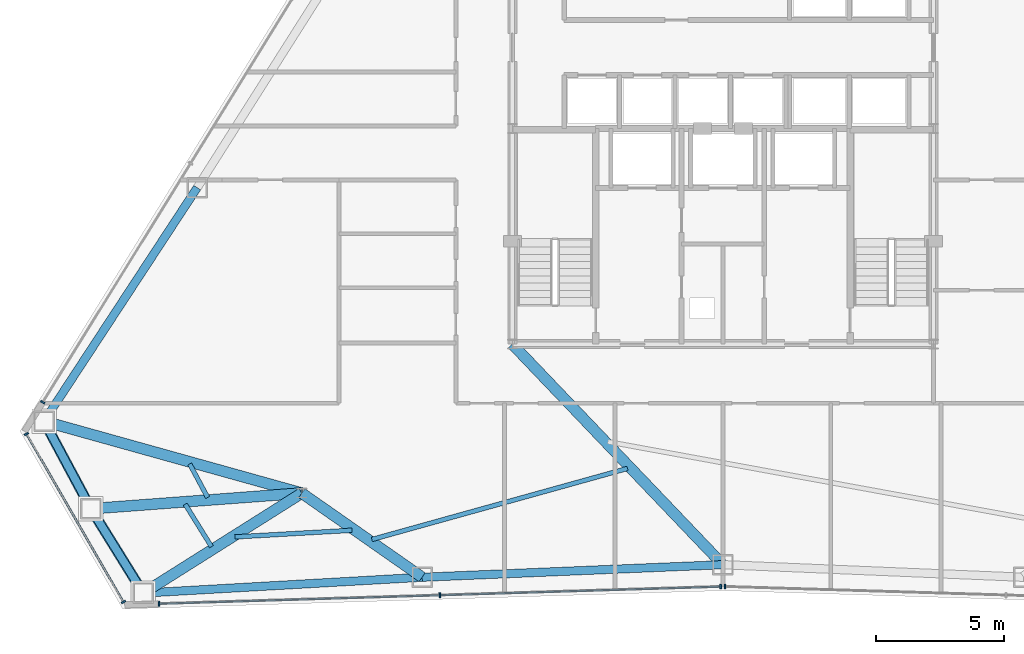
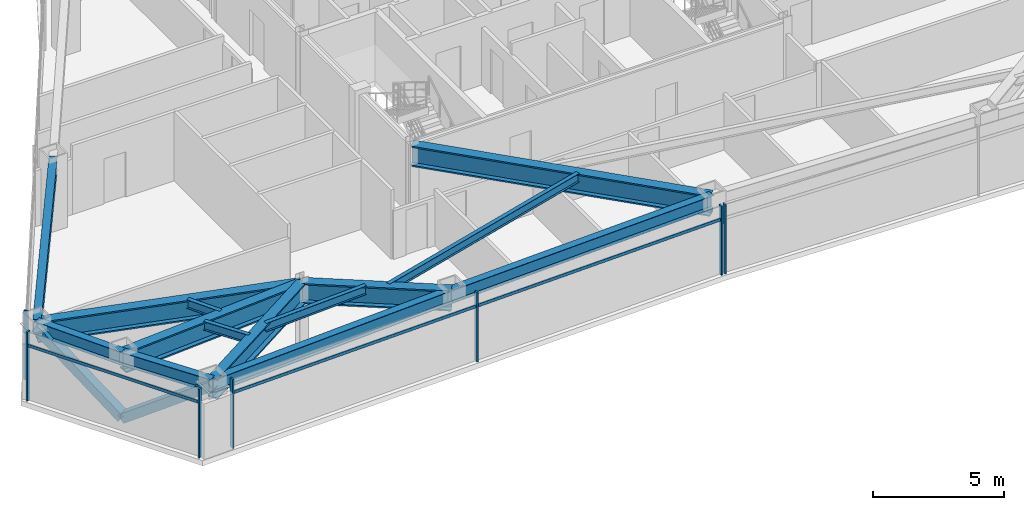
# One storey, part 3 of 13: 14 beams, 11 members, 4 elements without a shape of their own.
"""IFC4 building model written with IfcOpenShell, lengths in metres."""

from ifc_helpers import new_model, si_unit, direction, frame, origin, origin_2d, place, context, subcontext, project, spatial, rectangle, hollow_rectangle, i_section, extrude, source, transform, mapped, material, layer, layer_set, material_profile, profile_set, type_object, type_shapes, element, aggregate, save


model = new_model("IFC4")

# Units and contexts
model_context = context("Model", 3, precision=1e-05, world=origin(), true_north=direction((0.0, 1.0)))
body_context = subcontext(model_context, "Body", "Model", "MODEL_VIEW")
ifc_project = project(units=[si_unit("LENGTHUNIT", "METRE"), si_unit("AREAUNIT", "SQUARE_METRE"), si_unit("VOLUMEUNIT", "CUBIC_METRE"), si_unit("PLANEANGLEUNIT", "RADIAN"), si_unit("MASSUNIT", "GRAM", prefix="KILO")], contexts=[model_context])

# Site, building, storey
site_placement = place(None, origin())
site = spatial("IfcSite", under=ifc_project, at=site_placement, CompositionType="ELEMENT")
building_placement = place(site_placement, origin())
building = spatial("IfcBuilding", under=site, at=building_placement, Name="Varakhsha Concourse Tower", CompositionType="ELEMENT")
storey_placement = place(building_placement, frame((0.0, 0.0, 165.449951171875)))
storey = spatial("IfcBuildingStorey", under=building, at=storey_placement, Name="L47", CompositionType="ELEMENT", Elevation=165.449951171875)

# Beams
ifc_material_1 = material(Name="Structural Steel ASTM A992 Grade 50", Category="steel")
ifc_material_profile_1 = material_profile(ifc_material_1, i_section(OverallWidth=0.177978515625, OverallDepth=0.406982421875, WebThickness=0.008056640625, FlangeThickness=0.012939453125, at=origin_2d()), Name="W16X40")
ifc_profile_set_1 = profile_set([ifc_material_profile_1], Name="Structural Steel ASTM A992 Grade 50")
beam_type_1 = type_object("IfcBeamType", Name="BM-JST-W16X40", PredefinedType="JOIST", material=ifc_profile_set_1)
beam_1_placement = place(storey_placement, frame((19.23583984375, 11.73388671875, 3.006591796875), z_axis=(0.472427315469, -0.881369633921, 0.0), x_axis=(0.881369633921, 0.472427315469, 0.0)))
element("IfcBeam", 1, at=beam_1_placement, inside=storey, type_object=beam_type_1, Name="BM-TJST-L47-07", PredefinedType="JOIST", context=body_context, shape_type="SweptSolid", body=[
    extrude(i_section(OverallWidth=0.177978515625, OverallDepth=0.406982421875, WebThickness=0.008056640625, FlangeThickness=0.012939453125, at=origin_2d()), origin(), (0.0, 0.0, 1.0), 1.48046875),
])
beam_2_placement = place(storey_placement, frame((19.059814453125, 10.165283203125, 3.006591796875), z_axis=(0.527253458324, -0.849708062034, 0.0), x_axis=(0.849708062034, 0.527253458324, 0.0)))
element("IfcBeam", 2, at=beam_2_placement, inside=storey, type_object=beam_type_1, Name="BM-TJST-L47-08", PredefinedType="JOIST", context=body_context, shape_type="SweptSolid", body=[
    extrude(i_section(OverallWidth=0.177978515625, OverallDepth=0.406982421875, WebThickness=0.008056640625, FlangeThickness=0.012939453125, at=origin_2d()), origin(), (0.0, 0.0, 1.0), 1.9443359375),
])
beam_3_placement = place(storey_placement, frame((20.99365234375, 8.89306640625, 3.006591796875), z_axis=(0.998392496676, 0.056678237279, 0.0), x_axis=(-0.056678237279, 0.998392496676, 0.0)))
element("IfcBeam", 3, at=beam_3_placement, inside=storey, type_object=beam_type_1, Name="BM-TJST-L47-09", PredefinedType="JOIST", context=body_context, shape_type="SweptSolid", body=[
    extrude(i_section(OverallWidth=0.177978515625, OverallDepth=0.406982421875, WebThickness=0.008056640625, FlangeThickness=0.012939453125, at=origin_2d()), origin(), (0.0, 0.0, 1.0), 4.56591796875),
])
beam_4_placement = place(storey_placement, frame((26.330322265625, 8.794189453125, 3.006591796875), z_axis=(0.96347660105, 0.267792530195, 0.0), x_axis=(-0.267792530195, 0.96347660105, 0.0)))
element("IfcBeam", 4, at=beam_4_placement, inside=storey, type_object=beam_type_1, Name="BM-TJST-L47-10", PredefinedType="JOIST", context=body_context, shape_type="SweptSolid", body=[
    extrude(i_section(OverallWidth=0.177978515625, OverallDepth=0.406982421875, WebThickness=0.008056640625, FlangeThickness=0.012939453125, at=origin_2d()), origin(), (0.0, 0.0, 1.0), 10.3330078125),
])
ifc_material_profile_2 = material_profile(ifc_material_1, i_section(OverallWidth=0.423095703125, OverallDepth=0.947998046875, WebThickness=0.0380859375, FlangeThickness=0.06396484375, at=origin_2d()), Name="W36X302")
ifc_profile_set_2 = profile_set([ifc_material_profile_2], Name="Structural Steel ASTM A992 Grade 50")
beam_type_2 = type_object("IfcBeamType", Name="BM-OUTR-W36X302", PredefinedType="USERDEFINED", material=ifc_profile_set_2)
beam_5_placement = place(storey_placement, frame((23.60009765625, 10.60009765625, 2.736083984375), z_axis=(-0.963276818964, 0.268510279221, 0.0), x_axis=(-0.268510279221, -0.963276818964, 0.0)))
element("IfcBeam", 5, at=beam_5_placement, inside=storey, type_object=beam_type_2, Name="L47 Radial Floor Girder 07", ObjectType="GIRDER", PredefinedType="USERDEFINED", context=body_context, shape_type="SweptSolid", body=[
    extrude(i_section(OverallWidth=0.423095703125, OverallDepth=0.947998046875, WebThickness=0.0380859375, FlangeThickness=0.06396484375, at=origin_2d()), origin(), (0.0, 0.0, 1.0), 10.4189453125),
])
beam_6_placement = place(storey_placement, frame((23.60009765625, 10.60009765625, 2.736083984375), z_axis=(-0.99725755111, -0.074009301804, 0.0), x_axis=(0.074009301804, -0.99725755111, 0.0)))
element("IfcBeam", 6, at=beam_6_placement, inside=storey, type_object=beam_type_2, Name="L47 Radial Floor Girder 08", ObjectType="GIRDER", PredefinedType="USERDEFINED", context=body_context, shape_type="SweptSolid", body=[
    extrude(i_section(OverallWidth=0.423095703125, OverallDepth=0.947998046875, WebThickness=0.0380859375, FlangeThickness=0.06396484375, at=origin_2d()), origin(), (0.0, 0.0, 1.0), 8.233642578125),
])
beam_7_placement = place(storey_placement, frame((23.60009765625, 10.60009765625, 2.736083984375), z_axis=(-0.845822577747, -0.533464307123, 0.0), x_axis=(0.533464307123, -0.845822577747, 0.0)))
element("IfcBeam", 7, at=beam_7_placement, inside=storey, type_object=beam_type_2, Name="L47 Radial Floor Girder 09", ObjectType="GIRDER", PredefinedType="USERDEFINED", context=body_context, shape_type="SweptSolid", body=[
    extrude(i_section(OverallWidth=0.423095703125, OverallDepth=0.947998046875, WebThickness=0.0380859375, FlangeThickness=0.06396484375, at=origin_2d()), origin(), (0.0, 0.0, 1.0), 7.298583984375),
])
beam_8_placement = place(storey_placement, frame((23.60009765625, 10.60009765625, 2.736083984375), z_axis=(0.81951662418, -0.573055409792, 0.0), x_axis=(0.573055409792, 0.81951662418, 0.0)))
element("IfcBeam", 8, at=beam_8_placement, inside=storey, type_object=beam_type_2, Name="L47 Radial Floor Girder 10", ObjectType="GIRDER", PredefinedType="USERDEFINED", context=body_context, shape_type="SweptSolid", body=[
    extrude(i_section(OverallWidth=0.423095703125, OverallDepth=0.947998046875, WebThickness=0.0380859375, FlangeThickness=0.06396484375, at=origin_2d()), origin(), (0.0, 0.0, 1.0), 5.71875),
])
beam_9_placement = place(storey_placement, frame((31.800048828125, 16.39990234375, 2.736083984375), z_axis=(0.690592614806, -0.723243970161, 0.0), x_axis=(0.723243970161, 0.690592614806, 0.0)))
element("IfcBeam", 9, at=beam_9_placement, inside=storey, type_object=beam_type_2, Name="L47 Radial Floor Girder 11", ObjectType="GIRDER", PredefinedType="USERDEFINED", context=body_context, shape_type="SweptSolid", body=[
    extrude(i_section(OverallWidth=0.423095703125, OverallDepth=0.947998046875, WebThickness=0.0380859375, FlangeThickness=0.06396484375, at=origin_2d()), origin(), (0.0, 0.0, 1.0), 11.873779296875),
])
ifc_material_profile_3 = material_profile(ifc_material_1, i_section(OverallWidth=0.323974609375, OverallDepth=0.611083984375, WebThickness=0.012939453125, FlangeThickness=0.01904296875, at=origin_2d()), Name="W24X104")
ifc_profile_set_3 = profile_set([ifc_material_profile_3], Name="Structural Steel ASTM A992 Grade 50")
beam_type_3 = type_object("IfcBeamType", Name="BM-SPAN-W24X104", PredefinedType="SPANDREL", material=ifc_profile_set_3)
beam_10_placement = place(storey_placement, frame((19.52734375, 22.494384765625, 2.904541015625), z_axis=(-0.548266128306, -0.836303923555, 0.0), x_axis=(0.836303923555, -0.548266128306, 0.0)))
element("IfcBeam", 10, at=beam_10_placement, inside=storey, type_object=beam_type_3, Name="BM-SPAN-L47-06", PredefinedType="SPANDREL", context=body_context, shape_type="SweptSolid", body=[
    extrude(i_section(OverallWidth=0.323974609375, OverallDepth=0.611083984375, WebThickness=0.012939453125, FlangeThickness=0.01904296875, at=origin_2d()), origin(), (0.0, 0.0, 1.0), 10.877197265625),
])
for number, where, z_axis, x_axis, name in (
    (11, (13.563720703125, 13.397705078125, 2.904541015625), (0.472226671097, -0.881477152911, 0.0), (0.881477152911, 0.472226671097, 0.0), "BM-SPAN-L47-07"),
    (12, (15.388916015625, 9.99072265625, 2.904541015625), (0.52724807345, -0.849711403385, 0.0), (0.849711403385, 0.52724807345, 0.0), "BM-SPAN-L47-08"),
):
    element("IfcBeam", number, at=place(storey_placement, frame(where, z_axis=z_axis, x_axis=x_axis)), inside=storey, type_object=beam_type_3, Name=name, PredefinedType="SPANDREL", context=body_context, shape_type="SweptSolid", body=[
        extrude(i_section(OverallWidth=0.323974609375, OverallDepth=0.611083984375, WebThickness=0.012939453125, FlangeThickness=0.01904296875, at=origin_2d()), origin(), (0.0, 0.0, 1.0), 3.864990234375),
    ])
beam_11_placement = place(storey_placement, frame((17.4267578125, 6.70654296875, 2.904541015625), z_axis=(0.998392776911, 0.056673300699, 0.0), x_axis=(-0.056673300699, 0.998392776911, 0.0)))
element("IfcBeam", 13, at=beam_11_placement, inside=storey, type_object=beam_type_3, Name="BM-SPAN-L47-09", PredefinedType="SPANDREL", context=body_context, shape_type="SweptSolid", body=[
    extrude(i_section(OverallWidth=0.323974609375, OverallDepth=0.611083984375, WebThickness=0.012939453125, FlangeThickness=0.01904296875, at=origin_2d()), origin(), (0.0, 0.0, 1.0), 10.87744140625),
])
beam_12_placement = place(storey_placement, frame((28.28662109375, 7.322998046875, 2.904541015625), z_axis=(0.999128809081, 0.041732755292, 0.0), x_axis=(-0.041732755292, 0.999128809081, 0.0)))
element("IfcBeam", 14, at=beam_12_placement, inside=storey, type_object=beam_type_3, Name="BM-SPAN-L47-10", PredefinedType="SPANDREL", context=body_context, shape_type="SweptSolid", body=[
    extrude(i_section(OverallWidth=0.323974609375, OverallDepth=0.611083984375, WebThickness=0.012939453125, FlangeThickness=0.01904296875, at=origin_2d()), origin(), (0.0, 0.0, 1.0), 11.7236328125),
])

# Members
ifc_material_2 = material(Name="Structural Steel ASTM A500 Grade C", Category="steel")
ifc_material_profile_4 = material_profile(ifc_material_2, hollow_rectangle(XDim=0.39990234375, YDim=0.39990234375, WallThickness=0.01611328125, at=origin_2d()), Name="HSS 400x400x16")
ifc_profile_set_4 = profile_set([ifc_material_profile_4], Name="Structural Steel ASTM A500 Grade C")
member_type_1 = type_object("IfcMemberType", Name="MB-TUBE-HSS400", PredefinedType="BRACE", material=ifc_profile_set_4)
shared_shape_1 = source(origin(), body_context, "Body", "SweptSolid", [
    extrude(hollow_rectangle(XDim=0.39990234375, YDim=0.39990234375, WallThickness=0.01611328125, at=origin_2d()), origin(), (0.0, 0.0, 1.0), 4.766845703125),
])
type_shapes(member_type_1, [shared_shape_1])
for number, where, z_axis, x_axis, name in (
    (15, (15.388916015625, 9.99072265625, 0.1201171875), (-0.382890632553, 0.71471893757, 0.585296167578), (-0.881477152911, -0.472226671097, 0.0), "L47 Wind-Corner Tube Brace B03"),
    (16, (15.388916015625, 9.99072265625, 0.1201171875), (0.427501927129, -0.688960815112, 0.585299152178), (0.849711403385, 0.52724807345, 0.0), "L47 Wind-Corner Tube Brace B04"),
):
    element("IfcMember", number, at=place(storey_placement, frame(where, z_axis=z_axis, x_axis=x_axis)), inside=storey, type_object=member_type_1, Name=name, PredefinedType="BRACE", context=body_context, shape_type="MappedRepresentation", body=[
        mapped(shared_shape_1, transform((0.0, 0.0, 0.0), scale=1.0)),
    ])

# Curtain wall, member
ifc_material_3 = material(Name="Anodised Bronze Architectural Aluminium AA 6063-T6", Category="aluminium")
ifc_layer = layer(ifc_material_3, 0.2099609375, Name="CW-SYS-04")
ifc_layer_set = layer_set([ifc_layer], Name="Anodised Bronze Architectural Aluminium AA 6063-T6")
curtain_wall_type = type_object("IfcCurtainWallType", Name="CW-SYS-04", PredefinedType="NOTDEFINED", material=ifc_layer_set)
curtain_wall_1_placement = place(storey_placement, origin())
curtain_wall_1 = element("IfcCurtainWall", 17, at=curtain_wall_1_placement, inside=storey, type_object=curtain_wall_type, Name="L47 Crystal Curtain Wall F3", PredefinedType="NOTDEFINED")
ifc_material_profile_5 = material_profile(ifc_material_3, rectangle(XDim=0.06494140625, YDim=0.179931640625, at=origin_2d()), Name="CWM-180X65")
ifc_profile_set_5 = profile_set([ifc_material_profile_5], Name="Anodised Bronze Architectural Aluminium AA 6063-T6")
member_type_2 = type_object("IfcMemberType", Name="CWM-180X65", PredefinedType="MULLION", material=ifc_profile_set_5)
shared_shape_2 = source(origin(), body_context, "Body", "SweptSolid", [
    extrude(rectangle(XDim=0.06494140625, YDim=0.179931640625, at=origin_2d()), origin(), (0.0, 0.0, 1.0), 3.2099609375),
])
type_shapes(member_type_2, [shared_shape_2])
member_1_placement = place(storey_placement, frame((13.510009765625, 14.13818359375, 0.0), z_axis=(0.0, 0.0, 1.0), x_axis=(0.526199082126, 0.850361409032, 0.0)))
member_1 = element("IfcMember", 18, at=member_1_placement, type_object=member_type_2, Name="CW-L47-F3 Mullion 00", PredefinedType="MULLION", context=body_context, shape_type="MappedRepresentation", body=[
    mapped(shared_shape_2, transform((0.0, 0.0, 0.0), scale=1.0)),
])
aggregate(curtain_wall_1, [member_1])

# Curtain wall, members
curtain_wall_2_placement = place(storey_placement, origin())
curtain_wall_2 = element("IfcCurtainWall", 19, at=curtain_wall_2_placement, inside=storey, type_object=curtain_wall_type, Name="L47 Chamfer Curtain Wall F4", PredefinedType="NOTDEFINED")
member_2_placement = place(storey_placement, frame((16.655517578125, 6.357177734375, 0.0), z_axis=(0.0, 0.0, 1.0), x_axis=(-0.499990930976, 0.866030639725, 0.0)))
member_2 = element("IfcMember", 20, at=member_2_placement, type_object=member_type_2, Name="CW-L47-F4 Mullion 00", PredefinedType="MULLION", context=body_context, shape_type="MappedRepresentation", body=[
    mapped(shared_shape_2, transform((0.0, 0.0, 0.0), scale=1.0)),
])
member_3_placement = place(storey_placement, frame((12.87548828125, 12.904296875, 0.0), z_axis=(0.0, 0.0, 1.0), x_axis=(-0.499990930976, 0.866030639725, 0.0)))
member_3 = element("IfcMember", 21, at=member_3_placement, type_object=member_type_2, Name="CW-L47-F4 Mullion 01", PredefinedType="MULLION", context=body_context, shape_type="MappedRepresentation", body=[
    mapped(shared_shape_2, transform((0.0, 0.0, 0.0), scale=1.0)),
])

curtain_wall_3_placement = place(storey_placement, origin())
curtain_wall_3 = element("IfcCurtainWall", 22, at=curtain_wall_3_placement, inside=storey, type_object=curtain_wall_type, Name="L47 Crystal Curtain Wall F5", PredefinedType="NOTDEFINED")
member_4_placement = place(storey_placement, frame((39.915283203125, 6.957763671875, 0.0), z_axis=(0.0, 0.0, 1.0), x_axis=(-0.999534017137, -0.030524557085, 0.0)))
member_4 = element("IfcMember", 23, at=member_4_placement, type_object=member_type_2, Name="CW-L47-F5 Mullion 00", PredefinedType="MULLION", context=body_context, shape_type="MappedRepresentation", body=[
    mapped(shared_shape_2, transform((0.0, 0.0, 0.0), scale=1.0)),
])
member_5_placement = place(storey_placement, frame((28.978271484375, 6.623779296875, 0.0), z_axis=(0.0, 0.0, 1.0), x_axis=(-0.999534017137, -0.030524557085, 0.0)))
member_5 = element("IfcMember", 24, at=member_5_placement, type_object=member_type_2, Name="CW-L47-F5 Mullion 01", PredefinedType="MULLION", context=body_context, shape_type="MappedRepresentation", body=[
    mapped(shared_shape_2, transform((0.0, 0.0, 0.0), scale=1.0)),
])
member_6_placement = place(storey_placement, frame((18.041259765625, 6.289794921875, 0.0), z_axis=(0.0, 0.0, 1.0), x_axis=(-0.999534017137, -0.030524557085, 0.0)))
member_6 = element("IfcMember", 25, at=member_6_placement, type_object=member_type_2, Name="CW-L47-F5 Mullion 02", PredefinedType="MULLION", context=body_context, shape_type="MappedRepresentation", body=[
    mapped(shared_shape_2, transform((0.0, 0.0, 0.0), scale=1.0)),
])

# Curtain wall, member
curtain_wall_4_placement = place(storey_placement, origin())
curtain_wall_4 = element("IfcCurtainWall", 26, at=curtain_wall_4_placement, inside=storey, type_object=curtain_wall_type, Name="L47 Crystal Curtain Wall F6", PredefinedType="NOTDEFINED")
member_7_placement = place(storey_placement, frame((40.084716796875, 6.957763671875, 0.0), z_axis=(0.0, 0.0, 1.0), x_axis=(-0.999534017137, 0.030524557085, 0.0)))
member_7 = element("IfcMember", 27, at=member_7_placement, type_object=member_type_2, Name="CW-L47-F6 Mullion 02", PredefinedType="MULLION", context=body_context, shape_type="MappedRepresentation", body=[
    mapped(shared_shape_2, transform((0.0, 0.0, 0.0), scale=1.0)),
])
aggregate(curtain_wall_4, [member_7])

# Member
ifc_material_profile_6 = material_profile(ifc_material_3, rectangle(XDim=0.06005859375, YDim=0.139892578125, at=origin_2d()), Name="CWT-140X60")
ifc_profile_set_6 = profile_set([ifc_material_profile_6], Name="Anodised Bronze Architectural Aluminium AA 6063-T6")
member_type_3 = type_object("IfcMemberType", Name="CWT-140X60", PredefinedType="USERDEFINED", material=ifc_profile_set_6)
shared_shape_3 = source(origin(), body_context, "Body", "SweptSolid", [
    extrude(rectangle(XDim=0.06005859375, YDim=0.139892578125, at=origin_2d()), origin(), (0.0, 0.0, 1.0), 21.88427734375),
])
member_8_placement = place(storey_placement, frame((39.915283203125, 6.957763671875, 2.56005859375), z_axis=(-0.999534069287, -0.030522849386, 0.0), x_axis=(0.030522849386, -0.999534069287, 0.0)))
member_8 = element("IfcMember", 28, at=member_8_placement, type_object=member_type_3, Name="CW-L47-F5 Transom 01", ObjectType="TRANSOM", PredefinedType="USERDEFINED", context=body_context, shape_type="MappedRepresentation", body=[
    mapped(shared_shape_3, transform((0.0, 0.0, 0.0), scale=1.0)),
])

aggregate(curtain_wall_3, [member_4, member_5, member_6, member_8])

shared_shape_4 = source(origin(), body_context, "Body", "SweptSolid", [
    extrude(rectangle(XDim=0.06005859375, YDim=0.139892578125, at=origin_2d()), origin(), (0.0, 0.0, 1.0), 7.56005859375),
])
type_shapes(member_type_3, [shared_shape_3, shared_shape_4])
member_9_placement = place(storey_placement, frame((16.655517578125, 6.357177734375, 2.56005859375), z_axis=(-0.500004791531, 0.866022637375, 0.0), x_axis=(-0.866022637375, -0.500004791531, 0.0)))
member_9 = element("IfcMember", 29, at=member_9_placement, type_object=member_type_3, Name="CW-L47-F4 Transom 01", ObjectType="TRANSOM", PredefinedType="USERDEFINED", context=body_context, shape_type="MappedRepresentation", body=[
    mapped(shared_shape_4, transform((0.0, 0.0, 0.0), scale=1.0)),
])

aggregate(curtain_wall_2, [member_2, member_3, member_9])

save(model, "model.ifc")
